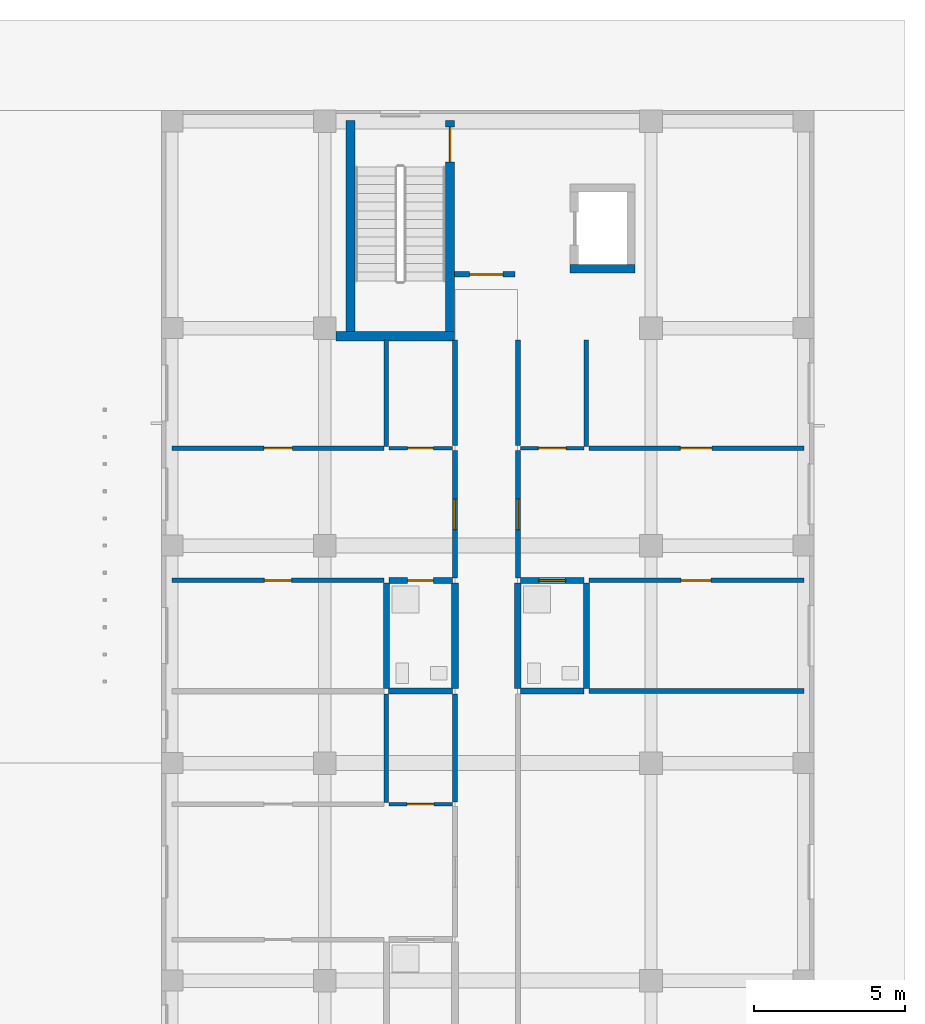
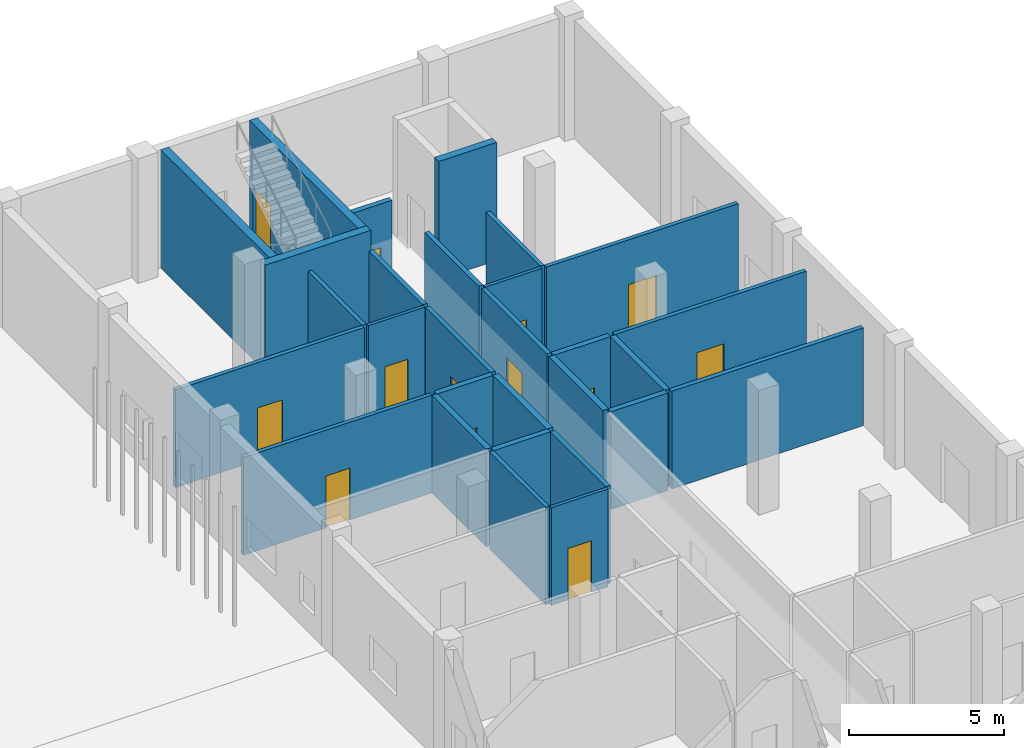
# One storey, part 54 of 85: 29 walls, 13 doors, 13 openings.
"""IFC4 building model written with IfcOpenShell, lengths in metres."""

from ifc_helpers import new_model, si_unit, derived_unit, direction, frame, frame_2d, origin, place, context, subcontext, project, spatial, rectangle, extrude, material, layer, layer_set, type_object, element, fill, save


model = new_model("IFC4")

# Units and contexts
model_context = context("Model", 3, precision=1e-05, world=origin(), true_north=direction((0.0, 1.0)))
body_context = subcontext(model_context, "Body", "Model", "MODEL_VIEW")
ifc_project = project(units=[si_unit("LENGTHUNIT", "METRE"), si_unit("AREAUNIT", "SQUARE_METRE"), si_unit("VOLUMEUNIT", "CUBIC_METRE"), si_unit("PLANEANGLEUNIT", "RADIAN"), si_unit("MASSUNIT", "GRAM", prefix="KILO"), derived_unit("THERMALTRANSMITTANCEUNIT", [(si_unit("MASSUNIT", "GRAM", prefix="KILO"), 1), (si_unit("TIMEUNIT", "SECOND"), -3), (si_unit("THERMODYNAMICTEMPERATUREUNIT", "KELVIN"), -1)])], contexts=[model_context])

# Site, building, storey
site_placement = place(None, origin())
site = spatial("IfcSite", under=ifc_project, at=site_placement, CompositionType="ELEMENT")
building_placement = place(site_placement, origin())
building = spatial("IfcBuilding", under=site, at=building_placement, Name="Ochrekiln Boulevard Commons", CompositionType="ELEMENT")
storey_placement = place(building_placement, origin())
storey = spatial("IfcBuildingStorey", under=building, at=storey_placement, Name="L00", CompositionType="ELEMENT", Elevation=0.0)

# Wall
ifc_material_1 = material(Name="Moisture-resistant cementitious tile backer wall")
ifc_layer_1 = layer(ifc_material_1, 0.199951171875)
ifc_layer_set_1 = layer_set([ifc_layer_1], Name="Moisture-resistant cementitious tile backer wall")
wall_type_1 = type_object("IfcWallType", Name="WL-PLM-200", PredefinedType="PLUMBINGWALL", material=ifc_layer_set_1)
wall_1_placement = place(storey_placement, frame((158.715087890625, 99.583984375, 0.0), z_axis=(0.0, 0.0, 1.0), x_axis=(1.0, 0.0, 0.0)))
element("IfcWall", 1, at=wall_1_placement, inside=storey, type_object=wall_type_1, Name="L00 Interior Wall W-PW200", PredefinedType="PLUMBINGWALL", context=body_context, shape_type="SweptSolid", body=[
    extrude(rectangle(XDim=2.11181640625, YDim=0.199951171875, at=frame_2d((1.055908203125, 0.0))), origin(), (0.0, 0.0, 1.0), 3.840087890625),
])

# Wall, opening, door
wall_2_placement = place(storey_placement, frame((158.719970703125, 103.2470703125, 0.0), z_axis=(0.0, 0.0, 1.0), x_axis=(1.0, 0.0, 0.0)))
wall_2 = element("IfcWall", 2, at=wall_2_placement, inside=storey, type_object=wall_type_1, Name="L00 Interior Wall W-PW200", PredefinedType="PLUMBINGWALL", context=body_context, shape_type="SweptSolid", body=[
    extrude(rectangle(XDim=2.10693359375, YDim=0.199951171875, at=frame_2d((1.053466796875, 0.0))), origin(), (0.0, 0.0, 1.0), 3.840087890625),
])
opening_1_placement = place(wall_2_placement, frame((0.6201171875, 0.0, 0.0)))
opening_1 = element("IfcOpeningElement", 3, at=opening_1_placement, cuts=wall_2, Name="Opening D-L00-040", PredefinedType="OPENING", context=body_context, shape_type="SweptSolid", body=[
    extrude(rectangle(XDim=0.860107421875, YDim=2.0, at=frame_2d((0.43017578125, 1.0))), frame((0.0, 0.10986328125, 0.0), z_axis=(0.0, -1.0, 0.0), x_axis=(1.0, 0.0, 0.0)), (0.0, 0.0, 1.0), 0.219970703125),
])
ifc_material_2 = material(Name="Solid core architectural oak door leaf")
door_type_1 = type_object("IfcDoorType", Name="DR-INT-BTH-086", OperationType="NOTDEFINED", PredefinedType="DOOR", material=ifc_material_2)
door_1_placement = place(opening_1_placement, frame((0.860107421875, 0.0, 0.0), z_axis=(0.0, 0.0, 1.0), x_axis=(-1.0, 0.0, 0.0)))
door_1 = element("IfcDoor", 4, at=door_1_placement, inside=storey, type_object=door_type_1, Name="L00 Interior Door to Apartment Bathroom", OperationType="SINGLE_SWING_RIGHT", OverallHeight=2.0, OverallWidth=0.860107421875, PredefinedType="DOOR", context=body_context, shape_type="SweptSolid", body=[
    extrude(rectangle(XDim=0.860107421875, YDim=2.0, at=frame_2d((0.43017578125, 1.0))), frame((0.0, 0.02490234375, 0.0), z_axis=(0.0, -1.0, 0.0), x_axis=(1.0, 0.0, 0.0)), (0.0, 0.0, 1.0), 0.050048828125),
])
fill(opening_1, door_1)

# Walls
wall_3_placement = place(storey_placement, frame((158.639892578125, 99.674072265625, 0.0), z_axis=(0.0, 0.0, 1.0), x_axis=(0.0, 1.0, 0.0)))
element("IfcWall", 5, at=wall_3_placement, inside=storey, type_object=wall_type_1, Name="L00 Interior Wall W-PW200", PredefinedType="PLUMBINGWALL", context=body_context, shape_type="SweptSolid", body=[
    extrude(rectangle(XDim=3.492919921875, YDim=0.199951171875, at=frame_2d((1.74658203125, 0.0))), origin(), (0.0, 0.0, 1.0), 3.840087890625),
])
wall_4_placement = place(storey_placement, frame((163.072998046875, 99.583984375, 0.0), z_axis=(0.0, 0.0, 1.0), x_axis=(1.0, 0.0, 0.0)))
element("IfcWall", 6, at=wall_4_placement, inside=storey, type_object=wall_type_1, Name="L00 Interior Wall W-PW200", PredefinedType="PLUMBINGWALL", context=body_context, shape_type="SweptSolid", body=[
    extrude(rectangle(XDim=2.10693359375, YDim=0.199951171875, at=frame_2d((1.053466796875, 0.0))), origin(), (0.0, 0.0, 1.0), 3.840087890625),
])

# Wall, opening, door
wall_5_placement = place(storey_placement, frame((163.072998046875, 103.2470703125, 0.0), z_axis=(0.0, 0.0, 1.0), x_axis=(1.0, 0.0, 0.0)))
wall_5 = element("IfcWall", 7, at=wall_5_placement, inside=storey, type_object=wall_type_1, Name="L00 Interior Wall W-PW200", PredefinedType="PLUMBINGWALL", context=body_context, shape_type="SweptSolid", body=[
    extrude(rectangle(XDim=2.10693359375, YDim=0.199951171875, at=frame_2d((1.053466796875, 0.0))), origin(), (0.0, 0.0, 1.0), 3.840087890625),
])
opening_2_placement = place(wall_5_placement, frame((0.612060546875, 0.0, 0.0)))
opening_2 = element("IfcOpeningElement", 8, at=opening_2_placement, cuts=wall_5, Name="Opening D-L00-048", PredefinedType="OPENING", context=body_context, shape_type="SweptSolid", body=[
    extrude(rectangle(XDim=0.889892578125, YDim=2.030029296875, at=frame_2d((0.44482421875, 1.01513671875))), frame((0.0, 0.10986328125, 0.0), z_axis=(0.0, -1.0, 0.0), x_axis=(1.0, 0.0, 0.0)), (0.0, 0.0, 1.0), 0.219970703125),
])
door_type_2 = type_object("IfcDoorType", Name="DR-INT-BTH-089", OperationType="NOTDEFINED", PredefinedType="DOOR", material=ifc_material_2)
door_2_placement = place(opening_2_placement, frame((0.889892578125, 0.0, 0.0), z_axis=(0.0, 0.0, 1.0), x_axis=(-1.0, 0.0, 0.0)))
door_2 = element("IfcDoor", 9, at=door_2_placement, inside=storey, type_object=door_type_2, Name="L00 Interior Door to Apartment Bathroom", OperationType="SINGLE_SWING_RIGHT", OverallHeight=2.030029296875, OverallWidth=0.889892578125, PredefinedType="DOOR", context=body_context, shape_type="SweptSolid", body=[
    extrude(rectangle(XDim=0.889892578125, YDim=2.030029296875, at=frame_2d((0.44482421875, 1.01513671875))), frame((0.0, 0.02490234375, 0.0), z_axis=(0.0, -1.0, 0.0), x_axis=(1.0, 0.0, 0.0)), (0.0, 0.0, 1.0), 0.050048828125),
])
fill(opening_2, door_2)

# Walls
wall_6_placement = place(storey_placement, frame((165.260009765625, 99.6689453125, 0.0), z_axis=(0.0, 0.0, 1.0), x_axis=(0.0, 1.0, 0.0)))
element("IfcWall", 10, at=wall_6_placement, inside=storey, type_object=wall_type_1, Name="L00 Interior Wall W-PW200", PredefinedType="PLUMBINGWALL", context=body_context, shape_type="SweptSolid", body=[
    extrude(rectangle(XDim=3.498046875, YDim=0.199951171875, at=frame_2d((1.7490234375, 0.0))), origin(), (0.0, 0.0, 1.0), 3.840087890625),
])
ifc_layer_2 = layer(ifc_material_1, 0.219970703125)
ifc_layer_set_2 = layer_set([ifc_layer_2], Name="Moisture-resistant cementitious tile backer wall")
wall_type_2 = type_object("IfcWallType", Name="WL-PLM-220", PredefinedType="PLUMBINGWALL", material=ifc_layer_set_2)
for number, where, z_axis, x_axis, name in (
    (11, (160.909912109375, 99.674072265625, 0.0), (0.0, 0.0, 1.0), (0.0, 1.0, 0.0), "L00 Interior Wall W-PW220"),
    (12, (162.989990234375, 99.674072265625, 0.0), (0.0, 0.0, 1.0), (0.0, 1.0, 0.0), "L00 Interior Wall W-PW220"),
):
    element("IfcWall", number, at=place(storey_placement, frame(where, z_axis=z_axis, x_axis=x_axis)), inside=storey, type_object=wall_type_2, Name=name, PredefinedType="PLUMBINGWALL", context=body_context, shape_type="SweptSolid", body=[
        extrude(rectangle(XDim=3.492919921875, YDim=0.219970703125, at=frame_2d((1.74658203125, 0.0))), origin(), (0.0, 0.0, 1.0), 3.840087890625),
    ])
ifc_material_3 = material(Name="Fire-rated Type X gypsum board on steel studs", Category="steel")
ifc_layer_3 = layer(ifc_material_3, 0.169921875)
ifc_layer_set_3 = layer_set([ifc_layer_3], Name="Fire-rated Type X gypsum board on steel studs")
wall_type_3 = type_object("IfcWallType", Name="WL-PT-CIV-170", PredefinedType="PARTITIONING", material=ifc_layer_set_3)
wall_7_placement = place(storey_placement, frame((165.340087890625, 99.583984375, 0.0), z_axis=(0.0, 0.0, 1.0), x_axis=(1.0, 0.0, 0.0)))
element("IfcWall", 13, at=wall_7_placement, inside=storey, type_object=wall_type_3, Name="L00 Interior Wall W-PV170", PredefinedType="PARTITIONING", context=body_context, shape_type="SweptSolid", body=[
    extrude(rectangle(XDim=7.119873046875, YDim=0.169921875, at=frame_2d((3.56005859375, 0.0))), origin(), (0.0, 0.0, 1.0), 3.840087890625),
])
ifc_layer_4 = layer(ifc_material_3, 0.1650390625)
ifc_layer_set_4 = layer_set([ifc_layer_4], Name="Fire-rated Type X gypsum board on steel studs")
wall_type_4 = type_object("IfcWallType", Name="WL-PT-CORR-165", PredefinedType="PARTITIONING", material=ifc_layer_set_4)
wall_8_placement = place(storey_placement, frame((160.909912109375, 95.919921875, 0.0), z_axis=(0.0, 0.0, 1.0), x_axis=(0.0, 1.0, 0.0)))
element("IfcWall", 14, at=wall_8_placement, inside=storey, type_object=wall_type_4, Name="L00 Interior Wall W-PC165", PredefinedType="PARTITIONING", context=body_context, shape_type="SweptSolid", body=[
    extrude(rectangle(XDim=3.573974609375, YDim=0.1650390625, at=frame_2d((1.787109375, 0.0))), origin(), (0.0, 0.0, 1.0), 3.840087890625),
])

# Wall, opening, door
wall_9_placement = place(storey_placement, frame((160.909912109375, 103.326904296875, 0.0), z_axis=(0.0, 0.0, 1.0), x_axis=(0.0, 1.0, 0.0)))
wall_9 = element("IfcWall", 15, at=wall_9_placement, inside=storey, type_object=wall_type_4, Name="L00 Interior Wall W-PC165", PredefinedType="PARTITIONING", context=body_context, shape_type="SweptSolid", body=[
    extrude(rectangle(XDim=4.22021484375, YDim=0.1650390625, at=frame_2d((2.110107421875, 0.0))), origin(), (0.0, 0.0, 1.0), 3.840087890625),
])
opening_3_placement = place(wall_9_placement, frame((1.60498046875, 0.0, 0.0)))
opening_3 = element("IfcOpeningElement", 16, at=opening_3_placement, cuts=wall_9, Name="Opening D-L00-028", PredefinedType="OPENING", context=body_context, shape_type="SweptSolid", body=[
    extrude(rectangle(XDim=1.010009765625, YDim=2.110107421875, at=frame_2d((0.5048828125, 1.05517578125))), frame((0.0, 0.092529296875, 0.0), z_axis=(0.0, -1.0, 0.0), x_axis=(1.0, 0.0, 0.0)), (0.0, 0.0, 1.0), 0.18505859375),
])
door_type_3 = type_object("IfcDoorType", Name="DR-INT-APT-101", OperationType="NOTDEFINED", PredefinedType="DOOR", material=ifc_material_2)
door_3_placement = place(opening_3_placement, origin())
door_3 = element("IfcDoor", 17, at=door_3_placement, inside=storey, type_object=door_type_3, Name="L00 Interior Door to Two-Bedroom Apartment Living Room", OperationType="SINGLE_SWING_RIGHT", OverallHeight=2.110107421875, OverallWidth=1.010009765625, PredefinedType="DOOR", context=body_context, shape_type="SweptSolid", body=[
    extrude(rectangle(XDim=1.010009765625, YDim=2.110107421875, at=frame_2d((0.5048828125, 1.05517578125))), frame((0.0, 0.02490234375, 0.0), z_axis=(0.0, -1.0, 0.0), x_axis=(1.0, 0.0, 0.0)), (0.0, 0.0, 1.0), 0.050048828125),
])
fill(opening_3, door_3)

# Wall
wall_10_placement = place(storey_placement, frame((160.909912109375, 107.70703125, 0.0), z_axis=(0.0, 0.0, 1.0), x_axis=(0.0, 1.0, 0.0)))
element("IfcWall", 18, at=wall_10_placement, inside=storey, type_object=wall_type_4, Name="L00 Interior Wall W-PC165", PredefinedType="PARTITIONING", context=body_context, shape_type="SweptSolid", body=[
    extrude(rectangle(XDim=3.492919921875, YDim=0.1650390625, at=frame_2d((1.74658203125, 0.0))), origin(), (0.0, 0.0, 1.0), 3.840087890625),
])

# Wall, opening, door
wall_11_placement = place(storey_placement, frame((162.989990234375, 103.326904296875, 0.0), z_axis=(0.0, 0.0, 1.0), x_axis=(0.0, 1.0, 0.0)))
wall_11 = element("IfcWall", 19, at=wall_11_placement, inside=storey, type_object=wall_type_4, Name="L00 Interior Wall W-PC165", PredefinedType="PARTITIONING", context=body_context, shape_type="SweptSolid", body=[
    extrude(rectangle(XDim=4.22021484375, YDim=0.1650390625, at=frame_2d((2.110107421875, 0.0))), origin(), (0.0, 0.0, 1.0), 3.840087890625),
])
opening_4_placement = place(wall_11_placement, frame((1.60498046875, 0.0, 0.0)))
opening_4 = element("IfcOpeningElement", 20, at=opening_4_placement, cuts=wall_11, Name="Opening D-L00-031", PredefinedType="OPENING", context=body_context, shape_type="SweptSolid", body=[
    extrude(rectangle(XDim=1.010009765625, YDim=2.110107421875, at=frame_2d((0.5048828125, 1.05517578125))), frame((0.0, 0.092529296875, 0.0), z_axis=(0.0, -1.0, 0.0), x_axis=(1.0, 0.0, 0.0)), (0.0, 0.0, 1.0), 0.18505859375),
])
door_4_placement = place(opening_4_placement, frame((1.010009765625, 0.0, 0.0), z_axis=(0.0, 0.0, 1.0), x_axis=(-1.0, 0.0, 0.0)))
door_4 = element("IfcDoor", 21, at=door_4_placement, inside=storey, type_object=door_type_3, Name="L00 Interior Door to Two-Bedroom Apartment Living Room", OperationType="SINGLE_SWING_LEFT", OverallHeight=2.110107421875, OverallWidth=1.010009765625, PredefinedType="DOOR", context=body_context, shape_type="SweptSolid", body=[
    extrude(rectangle(XDim=1.010009765625, YDim=2.110107421875, at=frame_2d((0.5048828125, 1.05517578125))), frame((0.0, 0.02490234375, 0.0), z_axis=(0.0, -1.0, 0.0), x_axis=(1.0, 0.0, 0.0)), (0.0, 0.0, 1.0), 0.050048828125),
])
fill(opening_4, door_4)

# Wall
wall_12_placement = place(storey_placement, frame((162.989990234375, 107.70703125, 0.0), z_axis=(0.0, 0.0, 1.0), x_axis=(0.0, 1.0, 0.0)))
element("IfcWall", 22, at=wall_12_placement, inside=storey, type_object=wall_type_4, Name="L00 Interior Wall W-PC165", PredefinedType="PARTITIONING", context=body_context, shape_type="SweptSolid", body=[
    extrude(rectangle(XDim=3.492919921875, YDim=0.1650390625, at=frame_2d((1.74658203125, 0.0))), origin(), (0.0, 0.0, 1.0), 3.840087890625),
])

# Wall, opening, door
ifc_layer_5 = layer(ifc_material_3, 0.18994140625)
ifc_layer_set_5 = layer_set([ifc_layer_5], Name="Fire-rated Type X gypsum board on steel studs")
wall_type_5 = type_object("IfcWallType", Name="WL-PT-LBY-190", PredefinedType="PARTITIONING", material=ifc_layer_set_5)
wall_13_placement = place(storey_placement, frame((160.89990234375, 113.3798828125, 0.0), z_axis=(0.0, 0.0, 1.0), x_axis=(1.0, 0.0, 0.0)))
wall_13 = element("IfcWall", 23, at=wall_13_placement, inside=storey, type_object=wall_type_5, Name="L00 Interior Wall W-PL190", PredefinedType="PARTITIONING", context=body_context, shape_type="SweptSolid", body=[
    extrude(rectangle(XDim=2.0, YDim=0.18994140625, at=frame_2d((1.0, 0.0))), origin(), (0.0, 0.0, 1.0), 3.840087890625),
])
opening_5_placement = place(wall_13_placement, frame((0.5, 0.0, 0.0)))
opening_5 = element("IfcOpeningElement", 24, at=opening_5_placement, cuts=wall_13, Name="Opening D-L00-024", PredefinedType="OPENING", context=body_context, shape_type="SweptSolid", body=[
    extrude(rectangle(XDim=1.10009765625, YDim=2.1201171875, at=frame_2d((0.550048828125, 1.06005859375))), frame((0.0, 0.10498046875, 0.0), z_axis=(0.0, -1.0, 0.0), x_axis=(1.0, 0.0, 0.0)), (0.0, 0.0, 1.0), 0.2099609375),
])
ifc_material_4 = material(Name="Hollow metal fire-rated steel door assembly", Category="steel")
door_type_4 = type_object("IfcDoorType", Name="DR-LOBBY-60", OperationType="NOTDEFINED", PredefinedType="DOOR", material=ifc_material_4)
door_5_placement = place(opening_5_placement, origin())
door_5 = element("IfcDoor", 25, at=door_5_placement, inside=storey, type_object=door_type_4, Name="L00 Interior Door to Fire Service Access Elevator Lobby", OperationType="SINGLE_SWING_RIGHT", OverallHeight=2.1201171875, OverallWidth=1.10009765625, PredefinedType="DOOR", context=body_context, shape_type="SweptSolid", body=[
    extrude(rectangle(XDim=1.10009765625, YDim=2.1201171875, at=frame_2d((0.550048828125, 1.06005859375))), frame((0.0, 0.02490234375, 0.0), z_axis=(0.0, -1.0, 0.0), x_axis=(1.0, 0.0, 0.0)), (0.0, 0.0, 1.0), 0.050048828125),
])
fill(opening_5, door_5)

ifc_layer_6 = layer(ifc_material_3, 0.1201171875)
ifc_layer_set_6 = layer_set([ifc_layer_6], Name="Fire-rated Type X gypsum board on steel studs")
wall_type_6 = type_object("IfcWallType", Name="WL-PT-LGT-120", PredefinedType="PARTITIONING", material=ifc_layer_set_6)
wall_14_placement = place(storey_placement, frame((158.719970703125, 95.840087890625, 0.0), z_axis=(0.0, 0.0, 1.0), x_axis=(1.0, 0.0, 0.0)))
wall_14 = element("IfcWall", 26, at=wall_14_placement, inside=storey, type_object=wall_type_6, Name="L00 Interior Wall W-PL120", PredefinedType="PARTITIONING", context=body_context, shape_type="SweptSolid", body=[
    extrude(rectangle(XDim=2.10693359375, YDim=0.1201171875, at=frame_2d((1.053466796875, 0.0))), origin(), (0.0, 0.0, 1.0), 3.840087890625),
])
opening_6_placement = place(wall_14_placement, frame((0.610107421875, 0.0, 0.0)))
opening_6 = element("IfcOpeningElement", 27, at=opening_6_placement, cuts=wall_14, Name="Opening D-L00-037", PredefinedType="OPENING", context=body_context, shape_type="SweptSolid", body=[
    extrude(rectangle(XDim=0.8798828125, YDim=2.02001953125, at=frame_2d((0.43994140625, 1.010009765625))), frame((0.0, 0.070068359375, 0.0), z_axis=(0.0, -1.0, 0.0), x_axis=(1.0, 0.0, 0.0)), (0.0, 0.0, 1.0), 0.14013671875),
])
door_type_5 = type_object("IfcDoorType", Name="DR-INT-KIT-088", OperationType="NOTDEFINED", PredefinedType="DOOR", material=ifc_material_2)
door_6_placement = place(opening_6_placement, origin())
door_6 = element("IfcDoor", 28, at=door_6_placement, inside=storey, type_object=door_type_5, Name="L00 Interior Door to Apartment Kitchen", OperationType="SINGLE_SWING_LEFT", OverallHeight=2.02001953125, OverallWidth=0.8798828125, PredefinedType="DOOR", context=body_context, shape_type="SweptSolid", body=[
    extrude(rectangle(XDim=0.8798828125, YDim=2.02001953125, at=frame_2d((0.43994140625, 1.010009765625))), frame((0.0, 0.02490234375, 0.0), z_axis=(0.0, -1.0, 0.0), x_axis=(1.0, 0.0, 0.0)), (0.0, 0.0, 1.0), 0.050048828125),
])
fill(opening_6, door_6)

wall_15_placement = place(storey_placement, frame((158.719970703125, 107.626953125, 0.0), z_axis=(0.0, 0.0, 1.0), x_axis=(1.0, 0.0, 0.0)))
wall_15 = element("IfcWall", 29, at=wall_15_placement, inside=storey, type_object=wall_type_6, Name="L00 Interior Wall W-PL120", PredefinedType="PARTITIONING", context=body_context, shape_type="SweptSolid", body=[
    extrude(rectangle(XDim=2.10693359375, YDim=0.1201171875, at=frame_2d((1.053466796875, 0.0))), origin(), (0.0, 0.0, 1.0), 3.840087890625),
])
opening_7_placement = place(wall_15_placement, frame((0.625, 0.0, 0.0)))
opening_7 = element("IfcOpeningElement", 30, at=opening_7_placement, cuts=wall_15, Name="Opening D-L00-041", PredefinedType="OPENING", context=body_context, shape_type="SweptSolid", body=[
    extrude(rectangle(XDim=0.85009765625, YDim=2.010009765625, at=frame_2d((0.425048828125, 1.0048828125))), frame((0.0, 0.070068359375, 0.0), z_axis=(0.0, -1.0, 0.0), x_axis=(1.0, 0.0, 0.0)), (0.0, 0.0, 1.0), 0.14013671875),
])
door_type_6 = type_object("IfcDoorType", Name="DR-INT-KIT-085", OperationType="NOTDEFINED", PredefinedType="DOOR", material=ifc_material_2)
door_7_placement = place(opening_7_placement, origin())
door_7 = element("IfcDoor", 31, at=door_7_placement, inside=storey, type_object=door_type_6, Name="L00 Interior Door to Apartment Kitchen", OperationType="SINGLE_SWING_LEFT", OverallHeight=2.010009765625, OverallWidth=0.85009765625, PredefinedType="DOOR", context=body_context, shape_type="SweptSolid", body=[
    extrude(rectangle(XDim=0.85009765625, YDim=2.010009765625, at=frame_2d((0.425048828125, 1.0048828125))), frame((0.0, 0.02490234375, 0.0), z_axis=(0.0, -1.0, 0.0), x_axis=(1.0, 0.0, 0.0)), (0.0, 0.0, 1.0), 0.050048828125),
])
fill(opening_7, door_7)

wall_16_placement = place(storey_placement, frame((163.072998046875, 107.626953125, 0.0), z_axis=(0.0, 0.0, 1.0), x_axis=(1.0, 0.0, 0.0)))
wall_16 = element("IfcWall", 32, at=wall_16_placement, inside=storey, type_object=wall_type_6, Name="L00 Interior Wall W-PL120", PredefinedType="PARTITIONING", context=body_context, shape_type="SweptSolid", body=[
    extrude(rectangle(XDim=2.10693359375, YDim=0.1201171875, at=frame_2d((1.053466796875, 0.0))), origin(), (0.0, 0.0, 1.0), 3.840087890625),
])
opening_8_placement = place(wall_16_placement, frame((0.596923828125, 0.0, 0.0)))
opening_8 = element("IfcOpeningElement", 33, at=opening_8_placement, cuts=wall_16, Name="Opening D-L00-049", PredefinedType="OPENING", context=body_context, shape_type="SweptSolid", body=[
    extrude(rectangle(XDim=0.919921875, YDim=2.02001953125, at=frame_2d((0.4599609375, 1.010009765625))), frame((0.0, 0.070068359375, 0.0), z_axis=(0.0, -1.0, 0.0), x_axis=(1.0, 0.0, 0.0)), (0.0, 0.0, 1.0), 0.14013671875),
])
door_type_7 = type_object("IfcDoorType", Name="DR-INT-KIT-092", OperationType="NOTDEFINED", PredefinedType="DOOR", material=ifc_material_2)
door_8_placement = place(opening_8_placement, origin())
door_8 = element("IfcDoor", 34, at=door_8_placement, inside=storey, type_object=door_type_7, Name="L00 Interior Door to Apartment Kitchen", OperationType="SINGLE_SWING_LEFT", OverallHeight=2.02001953125, OverallWidth=0.919921875, PredefinedType="DOOR", context=body_context, shape_type="SweptSolid", body=[
    extrude(rectangle(XDim=0.919921875, YDim=2.02001953125, at=frame_2d((0.4599609375, 1.010009765625))), frame((0.0, 0.02490234375, 0.0), z_axis=(0.0, -1.0, 0.0), x_axis=(1.0, 0.0, 0.0)), (0.0, 0.0, 1.0), 0.050048828125),
])
fill(opening_8, door_8)

# Wall
ifc_layer_7 = layer(ifc_material_3, 0.14990234375)
ifc_layer_set_7 = layer_set([ifc_layer_7], Name="Fire-rated Type X gypsum board on steel studs")
wall_type_7 = type_object("IfcWallType", Name="WL-PT-STD-150", PredefinedType="PARTITIONING", material=ifc_layer_set_7)
wall_17_placement = place(storey_placement, frame((158.639892578125, 95.89990234375, 0.0), z_axis=(0.0, 0.0, 1.0), x_axis=(0.0, 1.0, 0.0)))
element("IfcWall", 35, at=wall_17_placement, inside=storey, type_object=wall_type_7, Name="L00 Interior Wall W-PS150", PredefinedType="PARTITIONING", context=body_context, shape_type="SweptSolid", body=[
    extrude(rectangle(XDim=3.593994140625, YDim=0.14990234375, at=frame_2d((1.796875, 0.0))), origin(), (0.0, 0.0, 1.0), 3.840087890625),
])

# Wall, opening, door
wall_18_placement = place(storey_placement, frame((151.5400390625, 103.2470703125, 0.0), z_axis=(0.0, 0.0, 1.0), x_axis=(1.0, 0.0, 0.0)))
wall_18 = element("IfcWall", 36, at=wall_18_placement, inside=storey, type_object=wall_type_7, Name="L00 Interior Wall W-PS150", PredefinedType="PARTITIONING", context=body_context, shape_type="SweptSolid", body=[
    extrude(rectangle(XDim=7.02001953125, YDim=0.14990234375, at=frame_2d((3.510009765625, 0.0))), origin(), (0.0, 0.0, 1.0), 3.840087890625),
])
opening_9_placement = place(wall_18_placement, frame((3.06494140625, 0.0, 0.0)))
opening_9 = element("IfcOpeningElement", 37, at=opening_9_placement, cuts=wall_18, Name="Opening D-L00-042", PredefinedType="OPENING", context=body_context, shape_type="SweptSolid", body=[
    extrude(rectangle(XDim=0.89990234375, YDim=2.0400390625, at=frame_2d((0.449951171875, 1.02001953125))), frame((0.0, 0.0849609375, 0.0), z_axis=(0.0, -1.0, 0.0), x_axis=(1.0, 0.0, 0.0)), (0.0, 0.0, 1.0), 0.169921875),
])
door_type_8 = type_object("IfcDoorType", Name="DR-INT-BED-090", OperationType="NOTDEFINED", PredefinedType="DOOR", material=ifc_material_2)
door_9_placement = place(opening_9_placement, frame((0.89990234375, 0.0, 0.0), z_axis=(0.0, 0.0, 1.0), x_axis=(-1.0, 0.0, 0.0)))
door_9 = element("IfcDoor", 38, at=door_9_placement, inside=storey, type_object=door_type_8, Name="L00 Interior Door to Primary Apartment Bedroom", OperationType="SINGLE_SWING_RIGHT", OverallHeight=2.0400390625, OverallWidth=0.89990234375, PredefinedType="DOOR", context=body_context, shape_type="SweptSolid", body=[
    extrude(rectangle(XDim=0.89990234375, YDim=2.0400390625, at=frame_2d((0.449951171875, 1.02001953125))), frame((0.0, 0.02490234375, 0.0), z_axis=(0.0, -1.0, 0.0), x_axis=(1.0, 0.0, 0.0)), (0.0, 0.0, 1.0), 0.050048828125),
])
fill(opening_9, door_9)

wall_19_placement = place(storey_placement, frame((151.5400390625, 107.626953125, 0.0), z_axis=(0.0, 0.0, 1.0), x_axis=(1.0, 0.0, 0.0)))
wall_19 = element("IfcWall", 39, at=wall_19_placement, inside=storey, type_object=wall_type_7, Name="L00 Interior Wall W-PS150", PredefinedType="PARTITIONING", context=body_context, shape_type="SweptSolid", body=[
    extrude(rectangle(XDim=7.02001953125, YDim=0.14990234375, at=frame_2d((3.510009765625, 0.0))), origin(), (0.0, 0.0, 1.0), 3.840087890625),
])
opening_10_placement = place(wall_19_placement, frame((3.044921875, 0.0, 0.0)))
opening_10 = element("IfcOpeningElement", 40, at=opening_10_placement, cuts=wall_19, Name="Opening D-L00-043", PredefinedType="OPENING", context=body_context, shape_type="SweptSolid", body=[
    extrude(rectangle(XDim=0.93994140625, YDim=2.06005859375, at=frame_2d((0.469970703125, 1.030029296875))), frame((0.0, 0.0849609375, 0.0), z_axis=(0.0, -1.0, 0.0), x_axis=(1.0, 0.0, 0.0)), (0.0, 0.0, 1.0), 0.169921875),
])
door_type_9 = type_object("IfcDoorType", Name="DR-INT-BED-094", OperationType="NOTDEFINED", PredefinedType="DOOR", material=ifc_material_2)
door_10_placement = place(opening_10_placement, origin())
door_10 = element("IfcDoor", 41, at=door_10_placement, inside=storey, type_object=door_type_9, Name="L00 Interior Door to Secondary Apartment Bedroom", OperationType="SINGLE_SWING_LEFT", OverallHeight=2.06005859375, OverallWidth=0.93994140625, PredefinedType="DOOR", context=body_context, shape_type="SweptSolid", body=[
    extrude(rectangle(XDim=0.93994140625, YDim=2.06005859375, at=frame_2d((0.469970703125, 1.030029296875))), frame((0.0, 0.02490234375, 0.0), z_axis=(0.0, -1.0, 0.0), x_axis=(1.0, 0.0, 0.0)), (0.0, 0.0, 1.0), 0.050048828125),
])
fill(opening_10, door_10)

# Wall
wall_20_placement = place(storey_placement, frame((158.639892578125, 107.68701171875, 0.0), z_axis=(0.0, 0.0, 1.0), x_axis=(0.0, 1.0, 0.0)))
element("IfcWall", 42, at=wall_20_placement, inside=storey, type_object=wall_type_7, Name="L00 Interior Wall W-PS150", PredefinedType="PARTITIONING", context=body_context, shape_type="SweptSolid", body=[
    extrude(rectangle(XDim=3.512939453125, YDim=0.14990234375, at=frame_2d((1.75634765625, 0.0))), origin(), (0.0, 0.0, 1.0), 3.840087890625),
])

# Wall, opening, door
wall_21_placement = place(storey_placement, frame((165.340087890625, 103.2470703125, 0.0), z_axis=(0.0, 0.0, 1.0), x_axis=(1.0, 0.0, 0.0)))
wall_21 = element("IfcWall", 43, at=wall_21_placement, inside=storey, type_object=wall_type_7, Name="L00 Interior Wall W-PS150", PredefinedType="PARTITIONING", context=body_context, shape_type="SweptSolid", body=[
    extrude(rectangle(XDim=7.119873046875, YDim=0.14990234375, at=frame_2d((3.56005859375, 0.0))), origin(), (0.0, 0.0, 1.0), 3.840087890625),
])
opening_11_placement = place(wall_21_placement, frame((3.054931640625, 0.0, 0.0)))
opening_11 = element("IfcOpeningElement", 44, at=opening_11_placement, cuts=wall_21, Name="Opening D-L00-050", PredefinedType="OPENING", context=body_context, shape_type="SweptSolid", body=[
    extrude(rectangle(XDim=1.0, YDim=2.06005859375, at=frame_2d((0.5, 1.030029296875))), frame((0.0, 0.0849609375, 0.0), z_axis=(0.0, -1.0, 0.0), x_axis=(1.0, 0.0, 0.0)), (0.0, 0.0, 1.0), 0.169921875),
])
door_type_10 = type_object("IfcDoorType", Name="DR-INT-BED-100", OperationType="NOTDEFINED", PredefinedType="DOOR", material=ifc_material_2)
door_11_placement = place(opening_11_placement, frame((1.0, 0.0, 0.0), z_axis=(0.0, 0.0, 1.0), x_axis=(-1.0, 0.0, 0.0)))
door_11 = element("IfcDoor", 45, at=door_11_placement, inside=storey, type_object=door_type_10, Name="L00 Interior Door to Primary Apartment Bedroom", OperationType="SINGLE_SWING_RIGHT", OverallHeight=2.06005859375, OverallWidth=1.0, PredefinedType="DOOR", context=body_context, shape_type="SweptSolid", body=[
    extrude(rectangle(XDim=1.0, YDim=2.06005859375, at=frame_2d((0.5, 1.030029296875))), frame((0.0, 0.02490234375, 0.0), z_axis=(0.0, -1.0, 0.0), x_axis=(1.0, 0.0, 0.0)), (0.0, 0.0, 1.0), 0.050048828125),
])
fill(opening_11, door_11)

wall_22_placement = place(storey_placement, frame((165.340087890625, 107.626953125, 0.0), z_axis=(0.0, 0.0, 1.0), x_axis=(1.0, 0.0, 0.0)))
wall_22 = element("IfcWall", 46, at=wall_22_placement, inside=storey, type_object=wall_type_7, Name="L00 Interior Wall W-PS150", PredefinedType="PARTITIONING", context=body_context, shape_type="SweptSolid", body=[
    extrude(rectangle(XDim=7.119873046875, YDim=0.14990234375, at=frame_2d((3.56005859375, 0.0))), origin(), (0.0, 0.0, 1.0), 3.840087890625),
])
opening_12_placement = place(wall_22_placement, frame((3.034912109375, 0.0, 0.0)))
opening_12 = element("IfcOpeningElement", 47, at=opening_12_placement, cuts=wall_22, Name="Opening D-L00-051", PredefinedType="OPENING", context=body_context, shape_type="SweptSolid", body=[
    extrude(rectangle(XDim=1.0400390625, YDim=2.080078125, at=frame_2d((0.52001953125, 1.0400390625))), frame((0.0, 0.0849609375, 0.0), z_axis=(0.0, -1.0, 0.0), x_axis=(1.0, 0.0, 0.0)), (0.0, 0.0, 1.0), 0.169921875),
])
door_type_11 = type_object("IfcDoorType", Name="DR-INT-BED-104", OperationType="NOTDEFINED", PredefinedType="DOOR", material=ifc_material_2)
door_12_placement = place(opening_12_placement, origin())
door_12 = element("IfcDoor", 48, at=door_12_placement, inside=storey, type_object=door_type_11, Name="L00 Interior Door to Secondary Apartment Bedroom", OperationType="SINGLE_SWING_LEFT", OverallHeight=2.080078125, OverallWidth=1.0400390625, PredefinedType="DOOR", context=body_context, shape_type="SweptSolid", body=[
    extrude(rectangle(XDim=1.0400390625, YDim=2.080078125, at=frame_2d((0.52001953125, 1.0400390625))), frame((0.0, 0.02490234375, 0.0), z_axis=(0.0, -1.0, 0.0), x_axis=(1.0, 0.0, 0.0)), (0.0, 0.0, 1.0), 0.050048828125),
])
fill(opening_12, door_12)

# Walls
wall_23_placement = place(storey_placement, frame((165.260009765625, 107.68701171875, 0.0), z_axis=(0.0, 0.0, 1.0), x_axis=(0.0, 1.0, 0.0)))
element("IfcWall", 49, at=wall_23_placement, inside=storey, type_object=wall_type_7, Name="L00 Interior Wall W-PS150", PredefinedType="PARTITIONING", context=body_context, shape_type="SweptSolid", body=[
    extrude(rectangle(XDim=3.512939453125, YDim=0.14990234375, at=frame_2d((1.75634765625, 0.0))), origin(), (0.0, 0.0, 1.0), 3.840087890625),
])
ifc_material_5 = material(Name="Concrete C40/50", Category="concrete")
ifc_layer_8 = layer(ifc_material_5, 0.27490234375)
ifc_layer_set_8 = layer_set([ifc_layer_8], Name="Concrete C40/50")
wall_type_8 = type_object("IfcWallType", Name="WL-SH-275", PredefinedType="SHEAR", material=ifc_layer_set_8)
wall_24_placement = place(storey_placement, frame((164.72509765625, 113.5625, 0.0), z_axis=(0.0, 0.0, 1.0), x_axis=(1.0, 0.0, 0.0)))
element("IfcWall", 50, at=wall_24_placement, inside=storey, type_object=wall_type_8, Name="Elevator FF-B2 L00 Hoistway Shear Wall", PredefinedType="SHEAR", context=body_context, shape_type="SweptSolid", body=[
    extrude(rectangle(XDim=2.14990234375, YDim=0.27490234375, at=frame_2d((1.074951171875, 0.0))), origin(), (0.0, 0.0, 1.0), 4.639892578125),
])
ifc_layer_9 = layer(ifc_material_5, 0.300048828125)
ifc_layer_set_9 = layer_set([ifc_layer_9], Name="Concrete C40/50")
wall_type_9 = type_object("IfcWallType", Name="WL-SH-300", PredefinedType="SHEAR", material=ifc_layer_set_9)
wall_25_placement = place(storey_placement, frame((156.97509765625, 111.330078125, 0.0), z_axis=(0.0, 0.0, 1.0), x_axis=(1.0, 0.0, 0.0)))
element("IfcWall", 51, at=wall_25_placement, inside=storey, type_object=wall_type_9, Name="Stair ST-B2 L00 Core Shear Wall S", PredefinedType="SHEAR", context=body_context, shape_type="SweptSolid", body=[
    extrude(rectangle(XDim=3.9248046875, YDim=0.300048828125, at=frame_2d((1.96240234375, 0.0))), origin(), (0.0, 0.0, 1.0), 4.639892578125),
])
wall_26_placement = place(storey_placement, frame((157.449951171875, 111.47998046875, 0.0), z_axis=(0.0, 0.0, 1.0), x_axis=(0.0, 1.0, 0.0)))
element("IfcWall", 52, at=wall_26_placement, inside=storey, type_object=wall_type_9, Name="Stair ST-B2 L00 Core Shear Wall W", PredefinedType="SHEAR", context=body_context, shape_type="SweptSolid", body=[
    extrude(rectangle(XDim=7.0, YDim=0.300048828125, at=frame_2d((3.5, 0.0))), origin(), (0.0, 0.0, 1.0), 4.639892578125),
])

# Wall, opening, door
wall_27_placement = place(storey_placement, frame((160.75, 111.47998046875, 0.0), z_axis=(0.0, 0.0, 1.0), x_axis=(0.0, 1.0, 0.0)))
wall_27 = element("IfcWall", 53, at=wall_27_placement, inside=storey, type_object=wall_type_9, Name="Stair ST-B2 L00 Core Shear Wall E", PredefinedType="SHEAR", context=body_context, shape_type="SweptSolid", body=[
    extrude(rectangle(XDim=7.0, YDim=0.300048828125, at=frame_2d((3.5, 0.0))), origin(), (0.0, 0.0, 1.0), 4.639892578125),
])
opening_13_placement = place(wall_27_placement, frame((5.625, 0.0, 0.0)))
opening_13 = element("IfcOpeningElement", 54, at=opening_13_placement, cuts=wall_27, Name="Opening D-L00-ST-B2", PredefinedType="OPENING", context=body_context, shape_type="SweptSolid", body=[
    extrude(rectangle(XDim=1.14990234375, YDim=2.1201171875, at=frame_2d((0.574951171875, 1.06005859375))), frame((0.0, 0.159912109375, 0.0), z_axis=(0.0, -1.0, 0.0), x_axis=(1.0, 0.0, 0.0)), (0.0, 0.0, 1.0), 0.320068359375),
])
door_type_12 = type_object("IfcDoorType", Name="DR-STAIR-90", OperationType="NOTDEFINED", PredefinedType="DOOR", material=ifc_material_4)
door_13_placement = place(opening_13_placement, origin())
door_13 = element("IfcDoor", 55, at=door_13_placement, inside=storey, type_object=door_type_12, Name="Enclosed Exit Stair ST-B2 L00 Rated Door", OperationType="SINGLE_SWING_RIGHT", OverallHeight=2.1201171875, OverallWidth=1.14990234375, PredefinedType="DOOR", context=body_context, shape_type="SweptSolid", body=[
    extrude(rectangle(XDim=1.14990234375, YDim=2.1201171875, at=frame_2d((0.574951171875, 1.06005859375))), frame((0.0, 0.02490234375, 0.0), z_axis=(0.0, -1.0, 0.0), x_axis=(1.0, 0.0, 0.0)), (0.0, 0.0, 1.0), 0.050048828125),
])
fill(opening_13, door_13)

save(model, "model.ifc")
